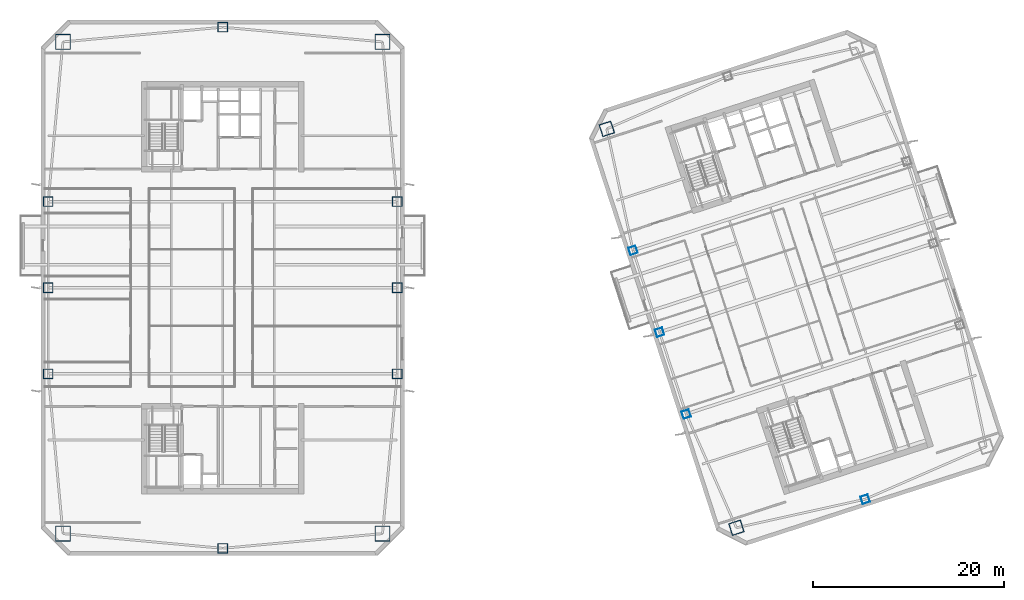
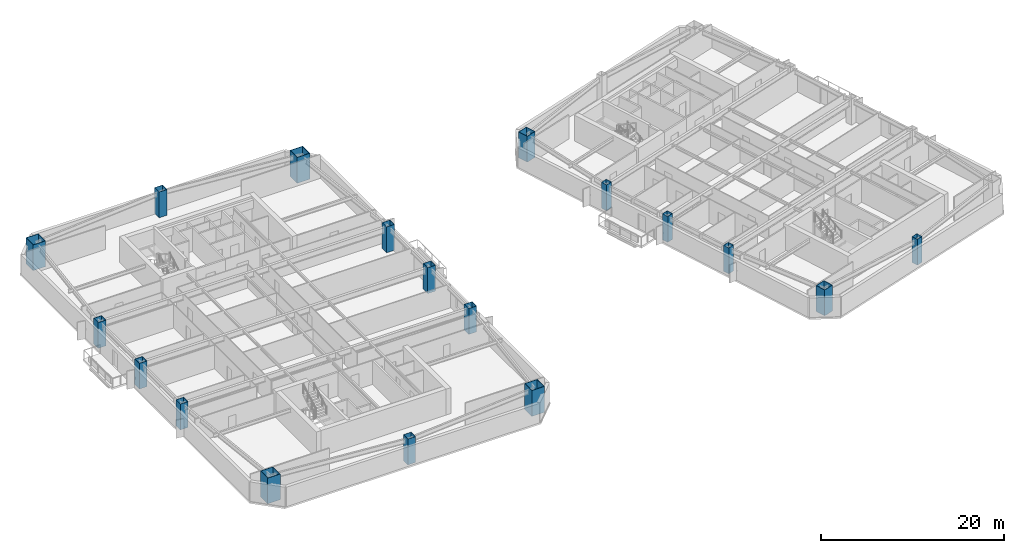
# One storey, part 1 of 17: 18 columns.
"""IFC4 building model written with IfcOpenShell, lengths in metres."""

from ifc_helpers import new_model, si_unit, direction, frame, origin, origin_2d, place, context, subcontext, project, spatial, hollow_rectangle, extrude, material, material_profile, profile_set, type_object, element, save


model = new_model("IFC4")

# Units and contexts
model_context = context("Model", 3, precision=1e-05, world=origin(), true_north=direction((0.0, 1.0)))
body_context = subcontext(model_context, "Body", "Model", "MODEL_VIEW")
ifc_project = project(units=[si_unit("LENGTHUNIT", "METRE"), si_unit("AREAUNIT", "SQUARE_METRE"), si_unit("VOLUMEUNIT", "CUBIC_METRE"), si_unit("PLANEANGLEUNIT", "RADIAN"), si_unit("MASSUNIT", "GRAM", prefix="KILO")], contexts=[model_context])

# Site, building, storey
site_placement = place(None, origin())
site = spatial("IfcSite", under=ifc_project, at=site_placement, CompositionType="ELEMENT")
building_placement = place(site_placement, origin())
building = spatial("IfcBuilding", under=site, at=building_placement, Name="Qiaolan Cultural Towers", CompositionType="ELEMENT")
storey_placement = place(building_placement, frame((0.0, 0.0, 142.60009765625)))
storey = spatial("IfcBuildingStorey", under=building, at=storey_placement, Name="L37", CompositionType="ELEMENT", Elevation=142.60009765625)

# Columns
ifc_material_1 = material(Name="Steel Q355B", Category="steel")
ifc_material_profile_1 = material_profile(ifc_material_1, hollow_rectangle(XDim=1.0, YDim=1.0, WallThickness=0.035888671875, at=origin_2d()), Name="BOX1000x1000x36")
ifc_profile_set_1 = profile_set([ifc_material_profile_1], Name="Steel Q355B")
column_type_1 = type_object("IfcColumnType", Name="COL-BOX1000x1000x36", PredefinedType="COLUMN", material=ifc_profile_set_1)
for number, where, z_axis, x_axis, name in (
    (1, (11.75, 25.0, 0.0), (0.0, 0.0, 1.0), (1.0, 0.0, 0.0), "L37 T1 Perimeter Column PC-W1"),
    (2, (11.75, 34.0, 0.0), (0.0, 0.0, 1.0), (1.0, 0.0, 0.0), "L37 T1 Perimeter Column PC-W2"),
    (3, (11.75, 43.0, 0.0), (0.0, 0.0, 1.0), (1.0, 0.0, 0.0), "L37 T1 Perimeter Column PC-W3"),
    (4, (48.25, 25.0, 0.0), (0.0, 0.0, 1.0), (1.0, 0.0, 0.0), "L37 T1 Perimeter Column PC-E1"),
    (5, (48.25, 34.0, 0.0), (0.0, 0.0, 1.0), (1.0, 0.0, 0.0), "L37 T1 Perimeter Column PC-E2"),
    (6, (48.25, 43.0, 0.0), (0.0, 0.0, 1.0), (1.0, 0.0, 0.0), "L37 T1 Perimeter Column PC-E3"),
    (7, (30.0, 6.75, 0.0), (0.0, 0.0, 1.0), (1.0, 0.0, 0.0), "L37 T1 Perimeter Column PC-S0"),
    (8, (30.0, 61.25, 0.0), (0.0, 0.0, 1.0), (1.0, 0.0, 0.0), "L37 T1 Perimeter Column PC-N0"),
):
    element("IfcColumn", number, at=place(storey_placement, frame(where, z_axis=z_axis, x_axis=x_axis)), inside=storey, type_object=column_type_1, Name=name, PredefinedType="COLUMN", context=body_context, shape_type="SweptSolid", body=[
        extrude(hollow_rectangle(XDim=1.0, YDim=1.0, WallThickness=0.035888671875, at=origin_2d()), origin(), (0.0, 0.0, 1.0), 3.450927734375),
    ])
ifc_material_2 = material(Name="Steel Q390GJB", Category="steel")
ifc_material_profile_2 = material_profile(ifc_material_2, hollow_rectangle(XDim=1.300048828125, YDim=1.300048828125, WallThickness=0.044921875, at=origin_2d()), Name="BOX1300x1300x45")
ifc_profile_set_2 = profile_set([ifc_material_profile_2], Name="Steel Q390GJB")
column_type_2 = type_object("IfcColumnType", Name="COL-BOX1300x1300x45", PredefinedType="COLUMN", material=ifc_profile_set_2)
for number, where, z_axis, x_axis, name in (
    (9, (83.71875, 8.900634765625, 0.0), (0.0, 0.0, 1.0), (0.951056516295, 0.309016994375, 0.0), "L37 T2 Perimeter Column MC-SW"),
    (10, (70.165283203125, 50.61376953125, 0.0), (0.0, 0.0, 1.0), (0.951056516295, 0.309016994375, 0.0), "L37 T2 Perimeter Column MC-NW"),
):
    element("IfcColumn", number, at=place(storey_placement, frame(where, z_axis=z_axis, x_axis=x_axis)), inside=storey, type_object=column_type_2, Name=name, PredefinedType="COLUMN", context=body_context, shape_type="SweptSolid", body=[
        extrude(hollow_rectangle(XDim=1.300048828125, YDim=1.300048828125, WallThickness=0.044921875, at=origin_2d()), origin(), (0.0, 0.0, 1.0), 3.450927734375),
    ])
ifc_material_3 = material(Name="Steel Q420GJB", Category="steel")
ifc_material_profile_3 = material_profile(ifc_material_3, hollow_rectangle(XDim=1.60009765625, YDim=1.60009765625, WallThickness=0.054931640625, at=origin_2d()), Name="BOX1600x1600x55")
ifc_profile_set_3 = profile_set([ifc_material_profile_3], Name="Steel Q420GJB")
column_type_3 = type_object("IfcColumnType", Name="COL-BOX1600x1600x55", PredefinedType="COLUMN", material=ifc_profile_set_3)
for number, where, z_axis, x_axis, name in (
    (11, (13.2900390625, 8.2900390625, 0.0), (0.0, 0.0, 1.0), (1.0, 0.0, 0.0), "L37 T1 Perimeter Column MC-SW"),
    (12, (46.7099609375, 8.2900390625, 0.0), (0.0, 0.0, 1.0), (1.0, 0.0, 0.0), "L37 T1 Perimeter Column MC-SE"),
    (13, (46.7099609375, 59.7099609375, 0.0), (0.0, 0.0, 1.0), (1.0, 0.0, 0.0), "L37 T1 Perimeter Column MC-NE"),
    (14, (13.2900390625, 59.7099609375, 0.0), (0.0, 0.0, 1.0), (1.0, 0.0, 0.0), "L37 T1 Perimeter Column MC-NW"),
):
    element("IfcColumn", number, at=place(storey_placement, frame(where, z_axis=z_axis, x_axis=x_axis)), inside=storey, type_object=column_type_3, Name=name, PredefinedType="COLUMN", context=body_context, shape_type="SweptSolid", body=[
        extrude(hollow_rectangle(XDim=1.60009765625, YDim=1.60009765625, WallThickness=0.054931640625, at=origin_2d()), origin(), (0.0, 0.0, 1.0), 3.450927734375),
    ])
ifc_material_4 = material(Name="Steel Q355B", Category="steel")
ifc_material_profile_4 = material_profile(ifc_material_4, hollow_rectangle(XDim=0.800048828125, YDim=0.800048828125, WallThickness=0.028076171875, at=origin_2d()), Name="BOX800x800x28")
ifc_profile_set_4 = profile_set([ifc_material_profile_4], Name="Steel Q355B")
column_type_4 = type_object("IfcColumnType", Name="COL-BOX800x800x28", PredefinedType="COLUMN", material=ifc_profile_set_4)
for number, where, z_axis, x_axis, name in (
    (15, (78.4677734375, 20.789794921875, 0.0), (0.0, 0.0, 1.0), (0.951056516295, 0.309016994375, 0.0), "L37 T2 Perimeter Column PC-W1"),
    (16, (75.6865234375, 29.349365234375, 0.0), (0.0, 0.0, 1.0), (0.951056516295, 0.309016994375, 0.0), "L37 T2 Perimeter Column PC-W2"),
    (17, (72.905517578125, 37.90869140625, 0.0), (0.0, 0.0, 1.0), (0.951056516295, 0.309016994375, 0.0), "L37 T2 Perimeter Column PC-W3"),
    (18, (97.1845703125, 11.887939453125, 0.0), (0.0, 0.0, 1.0), (0.951056516295, 0.309016994375, 0.0), "L37 T2 Perimeter Column PC-S0"),
):
    element("IfcColumn", number, at=place(storey_placement, frame(where, z_axis=z_axis, x_axis=x_axis)), inside=storey, type_object=column_type_4, Name=name, PredefinedType="COLUMN", context=body_context, shape_type="SweptSolid", body=[
        extrude(hollow_rectangle(XDim=0.800048828125, YDim=0.800048828125, WallThickness=0.028076171875, at=origin_2d()), origin(), (0.0, 0.0, 1.0), 3.450927734375),
    ])

save(model, "model.ifc")
